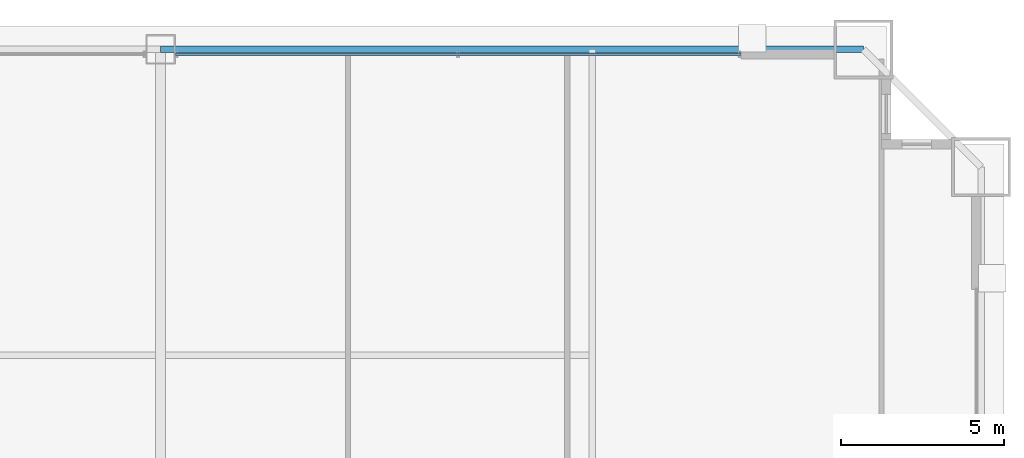
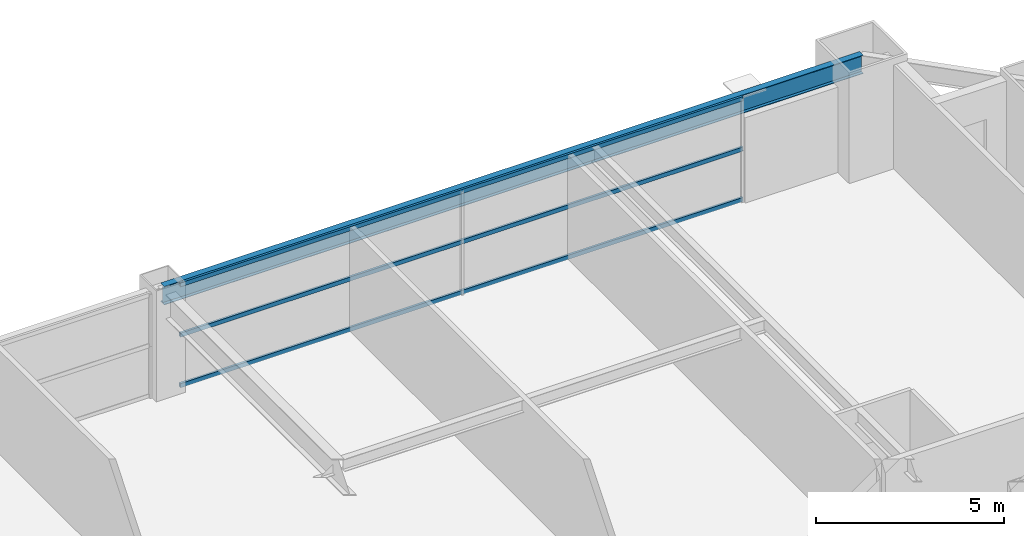
# One storey, part 38 of 46: 3 members, 1 beam, 1 element without a shape of its own.
"""IFC4 building model written with IfcOpenShell, lengths in metres."""

import ifcopenshell
import ifcopenshell.guid

model = None  # the IFC model being written
_history = None  # IfcOwnerHistory: only IFC2X3 demands one
_inside = {}  # id of a spatial element -> (the spatial element, [elements in it])
_under = {}  # id of a project, library or spatial element -> (it, [spatial elements below it])
_declared = {}  # id of a project -> (the project, [libraries it declares])
_typed = {}  # id of a type object -> (the type object, [elements of that type])
_made_of = {}  # id of a material, layer set ... -> (it, [elements and type objects made of it])


def new_model(schema):
    """Start an empty IFC model of exactly this schema.

    Asked for "IFC4X3", IfcOpenShell would pick the latest addendum, in which some entities
    have other attributes; the version numbers below select the first issue.
    IFC2X3 requires an IfcOwnerHistory on every rooted entity: one is made here for all.
    """
    global model, _history
    if schema == "IFC4X3":
        model = ifcopenshell.file(schema_version=(4, 3, 0, 0))
    else:
        model = ifcopenshell.file(schema=schema)
    _inside.clear()
    _under.clear()
    _declared.clear()
    _typed.clear()
    _made_of.clear()
    _history = None
    if model.schema == "IFC2X3":
        org = make("IfcOrganization", Name="unknown")
        user = make(
            "IfcPersonAndOrganization",
            ThePerson=make("IfcPerson", FamilyName="unknown"),
            TheOrganization=org,
        )
        app = make(
            "IfcApplication",
            ApplicationDeveloper=org,
            Version="unknown",
            ApplicationFullName="unknown",
            ApplicationIdentifier="unknown",
        )
        _history = make(
            "IfcOwnerHistory",
            OwningUser=user,
            OwningApplication=app,
            ChangeAction="ADDED",
            CreationDate=0,
        )
    return model


def make(cls, **values):
    """One entity of the class cls with the attributes given. An attribute that is None is left unset."""
    return model.create_entity(
        cls, **{name: value for name, value in values.items() if value is not None}
    )


def rooted(cls, **values):
    """An entity with a GlobalId (a new one), such as an element, a storey or a relation."""
    return make(cls, GlobalId=ifcopenshell.guid.new(), OwnerHistory=_history, **values)


def si_unit(unit_type, name, prefix=None):
    """IfcSIUnit, for example si_unit("LENGTHUNIT", "METRE", prefix="MILLI")."""
    return make("IfcSIUnit", UnitType=unit_type, Prefix=prefix, Name=name)


def assignment(units):
    """IfcUnitAssignment: the units of a project."""
    return None if units is None else make("IfcUnitAssignment", Units=units)


def point(xyz):
    """IfcCartesianPoint."""
    return None if xyz is None else make("IfcCartesianPoint", Coordinates=xyz)


def direction(xyz):
    """IfcDirection."""
    return None if xyz is None else make("IfcDirection", DirectionRatios=xyz)


def frame(location, z_axis=None, x_axis=None):
    """IfcAxis2Placement3D, a coordinate frame: its origin and axes. An axis left out is left unset."""
    return make(
        "IfcAxis2Placement3D",
        Location=point(location),
        Axis=direction(z_axis),
        RefDirection=direction(x_axis),
    )


def frame_2d(location, x_axis=None):
    """IfcAxis2Placement2D, a coordinate frame in the plane: its origin and x axis."""
    return make(
        "IfcAxis2Placement2D", Location=point(location), RefDirection=direction(x_axis)
    )


def origin():
    """The frame at (0, 0, 0) with its axes left unset."""
    return frame((0.0, 0.0, 0.0))


def origin_2d():
    """The frame at (0, 0) in the plane with its x axis left unset."""
    return frame_2d((0.0, 0.0))


def place(relative_to, where):
    """IfcLocalPlacement: puts the frame where relative to a parent placement (None: the world)."""
    return make(
        "IfcLocalPlacement", PlacementRelTo=relative_to, RelativePlacement=where
    )


def context(
    kind, dimensions, precision=None, world=None, true_north=None, identifier=None
):
    """IfcGeometricRepresentationContext, for example the 3D "Model" context."""
    return make(
        "IfcGeometricRepresentationContext",
        ContextIdentifier=identifier,
        ContextType=kind,
        CoordinateSpaceDimension=dimensions,
        Precision=precision,
        WorldCoordinateSystem=world,
        TrueNorth=true_north,
    )


def subcontext(parent, identifier, kind, view, scale=None):
    """IfcGeometricRepresentationSubContext, for example "Body" below "Model"."""
    return make(
        "IfcGeometricRepresentationSubContext",
        ContextIdentifier=identifier,
        ContextType=kind,
        ParentContext=parent,
        TargetScale=scale,
        TargetView=view,
    )


def project(units=None, contexts=None):
    """IfcProject with its units and contexts."""
    return rooted(
        "IfcProject",
        Name="project",
        RepresentationContexts=contexts,
        UnitsInContext=assignment(units),
    )


def spatial(cls, under=None, at=None, **own):
    """A site, building, storey or space (cls), placed at a placement, below another one or the project."""
    s = rooted(cls, ObjectPlacement=at, **own)
    if under is not None:
        _under.setdefault(under.id(), (under, []))[1].append(s)
    return s


def profile(cls, at=None, kind="AREA", **sizes):
    """A parametric profile (cls). Its sizes go by their IFC names, for example OverallWidth=200.0."""
    return make(cls, ProfileType=kind, Position=at, **sizes)


def hollow_rectangle(**sizes):
    """IfcRectangleHollowProfileDef."""
    return profile("IfcRectangleHollowProfileDef", **sizes)


def i_section(**sizes):
    """IfcIShapeProfileDef."""
    return profile("IfcIShapeProfileDef", **sizes)


def extrude(swept, where, along, depth):
    """IfcExtrudedAreaSolid: the profile swept, set in the frame where, extruded along a direction by depth."""
    return make(
        "IfcExtrudedAreaSolid",
        SweptArea=swept,
        Position=where,
        ExtrudedDirection=direction(along),
        Depth=depth,
    )


def shape(context_of_items, identifier, shape_type, items):
    """IfcShapeRepresentation: the items that make up one representation, for example the "Body"."""
    return make(
        "IfcShapeRepresentation",
        ContextOfItems=context_of_items,
        RepresentationIdentifier=identifier,
        RepresentationType=shape_type,
        Items=items,
    )


def source(mapping_origin, context_of_items, identifier, shape_type, items):
    """IfcRepresentationMap: a shape defined once, which mapped items show again and again."""
    return make(
        "IfcRepresentationMap",
        MappingOrigin=mapping_origin,
        MappedRepresentation=shape(context_of_items, identifier, shape_type, items),
    )


def transform(
    local_origin,
    x_axis=None,
    y_axis=None,
    z_axis=None,
    scale=None,
    scale2=None,
    scale3=None,
    uniform=True,
):
    """IfcCartesianTransformationOperator3D, or its non-uniform kind. x_axis, y_axis, z_axis: its Axis1, 2, 3."""
    if uniform:
        return make(
            "IfcCartesianTransformationOperator3D",
            Axis1=direction(x_axis),
            Axis2=direction(y_axis),
            LocalOrigin=point(local_origin),
            Scale=scale,
            Axis3=direction(z_axis),
        )
    return make(
        "IfcCartesianTransformationOperator3DnonUniform",
        Axis1=direction(x_axis),
        Axis2=direction(y_axis),
        LocalOrigin=point(local_origin),
        Scale=scale,
        Axis3=direction(z_axis),
        Scale2=scale2,
        Scale3=scale3,
    )


def mapped(mapping_source, mapping_target):
    """IfcMappedItem: shows the shape of a source again, moved by a transform."""
    return make(
        "IfcMappedItem", MappingSource=mapping_source, MappingTarget=mapping_target
    )


def material(Name=None, Category=None):
    """IfcMaterial."""
    return make("IfcMaterial", Name=Name, Category=Category)


def layer(
    of_material, thickness, ventilated=None, Name=None, Category=None, Priority=None
):
    """IfcMaterialLayer: one layer of a wall or slab, of a material (None: an air gap)."""
    return make(
        "IfcMaterialLayer",
        Material=of_material,
        LayerThickness=thickness,
        IsVentilated=ventilated,
        Name=Name,
        Category=Category,
        Priority=Priority,
    )


def layer_set(layers, Name=None):
    """IfcMaterialLayerSet."""
    return make("IfcMaterialLayerSet", MaterialLayers=layers, LayerSetName=Name)


def material_profile(
    of_material, cross_section, Name=None, Category=None, Priority=None
):
    """IfcMaterialProfile: a cross section and its material."""
    return make(
        "IfcMaterialProfile",
        Name=Name,
        Material=of_material,
        Profile=cross_section,
        Priority=Priority,
        Category=Category,
    )


def profile_set(profiles, Name=None, composite=None):
    """IfcMaterialProfileSet."""
    return make(
        "IfcMaterialProfileSet",
        Name=Name,
        MaterialProfiles=profiles,
        CompositeProfile=composite,
    )


def made_of(thing, what):
    """Note that an element or type object is made of a material, layer set ...; save() writes the relation."""
    if what is not None:
        _made_of.setdefault(what.id(), (what, []))[1].append(thing)
    return thing


def type_object(cls, material=None, **own):
    """A type object (cls), such as IfcWallType, which elements share."""
    return made_of(rooted(cls, **own), material)


def element(
    cls,
    number,
    at=None,
    inside=None,
    cuts=None,
    type_object=None,
    material=None,
    context=None,
    identifier="Body",
    shape_type=None,
    held_by="IfcProductDefinitionShape",
    body=None,
    shapes=None,
    **own,
):
    """One element of the class cls, such as IfcWall. Its Tag is "e" and its number.

    at: its placement. inside: the storey or other place that contains it. cuts: it is an
    opening in that element (IfcRelVoidsElement). A single representation is given by context,
    identifier, shape_type and body (its items); several are given by shapes. held_by: the class
    of the entity that holds the representations. save() writes the other relations.
    """
    e = rooted(cls, Tag="e%d" % number, ObjectPlacement=at, **own)
    if body is not None:
        shapes = [shape(context, identifier, shape_type, body)]
    if shapes is not None:
        e.Representation = make(held_by, Representations=shapes)
    if inside is not None:
        _inside.setdefault(inside.id(), (inside, []))[1].append(e)
    if cuts is not None:
        rooted(
            "IfcRelVoidsElement", RelatingBuildingElement=cuts, RelatedOpeningElement=e
        )
    if type_object is not None:
        _typed.setdefault(type_object.id(), (type_object, []))[1].append(e)
    return made_of(e, material)


def aggregate(whole, parts):
    """IfcRelAggregates: a whole, such as a stair, and the parts it consists of."""
    return rooted("IfcRelAggregates", RelatingObject=whole, RelatedObjects=parts)


def save(model, path):
    """Write the relations noted so far, then the file.

    IfcRelAggregates (storeys below a building ...), IfcRelContainedInSpatialStructure (elements
    in a storey), IfcRelDefinesByType, IfcRelAssociatesMaterial and IfcRelDeclares: one each for
    every whole, place, type object, material and project.
    """
    for whole, parts in _under.values():
        aggregate(whole, parts)
    for where, things in _inside.values():
        rooted(
            "IfcRelContainedInSpatialStructure",
            RelatedElements=things,
            RelatingStructure=where,
        )
    for kind, things in _typed.values():
        rooted("IfcRelDefinesByType", RelatedObjects=things, RelatingType=kind)
    for what, things in _made_of.values():
        rooted("IfcRelAssociatesMaterial", RelatedObjects=things, RelatingMaterial=what)
    for by, libraries in _declared.values():
        rooted("IfcRelDeclares", RelatingContext=by, RelatedDefinitions=libraries)
    model.write(path)


model = new_model("IFC4")

# Units and contexts
model_context = context("Model", 3, precision=1e-05, world=origin(), true_north=direction((0.0, 1.0)))
body_context = subcontext(model_context, "Body", "Model", "MODEL_VIEW")
ifc_project = project(units=[si_unit("LENGTHUNIT", "METRE"), si_unit("AREAUNIT", "SQUARE_METRE"), si_unit("VOLUMEUNIT", "CUBIC_METRE"), si_unit("PLANEANGLEUNIT", "RADIAN"), si_unit("MASSUNIT", "GRAM", prefix="KILO"), si_unit("THERMODYNAMICTEMPERATUREUNIT", "KELVIN"), si_unit("POWERUNIT", "WATT")], contexts=[model_context])

# Site, building, storey
site_placement = place(None, origin())
site = spatial("IfcSite", under=ifc_project, at=site_placement, CompositionType="ELEMENT")
building_placement = place(site_placement, origin())
building = spatial("IfcBuilding", under=site, at=building_placement, Name="Yuzanri Waterfront Tower", CompositionType="ELEMENT")
storey_placement = place(building_placement, frame((0.0, 0.0, 56.800048828125)))
storey = spatial("IfcBuildingStorey", under=building, at=storey_placement, Name="L14", CompositionType="ELEMENT", Elevation=56.800048828125)

# Beam
ifc_material_1 = material(Name="Steel Q355B", Category="steel")
ifc_material_profile_1 = material_profile(ifc_material_1, i_section(OverallWidth=0.199951171875, OverallDepth=0.60009765625, WebThickness=0.010986328125, FlangeThickness=0.01708984375, at=origin_2d()), Name="HN 600x200x11x17")
ifc_profile_set_1 = profile_set([ifc_material_profile_1], Name="Steel Q355B")
beam_type = type_object("IfcBeamType", Name="Perimeter Spandrel Q355B HN 600x200", PredefinedType="SPANDREL", material=ifc_profile_set_1)
shared_shape_1 = source(origin(), body_context, "Body", "SweptSolid", [
    extrude(i_section(OverallWidth=0.199951171875, OverallDepth=0.60009765625, WebThickness=0.010986328125, FlangeThickness=0.01708984375, at=origin_2d()), origin(), (0.0, 0.0, 1.0), 21.5),
])
beam_placement = place(storey_placement, frame((58.5, 50.89990234375, 3.079833984375), z_axis=(-1.0, 0.0, 0.0), x_axis=(0.0, -1.0, 0.0)))
element("IfcBeam", 1, at=beam_placement, inside=storey, type_object=beam_type, Name="L14 Perimeter Spandrel N3-N2", PredefinedType="SPANDREL", context=body_context, shape_type="MappedRepresentation", body=[
    mapped(shared_shape_1, transform((0.0, 0.0, 0.0), scale=1.0)),
])

# Curtain wall, members
ifc_material_2 = material(Name="Anodized Architectural Bronze", Category="metal")
ifc_layer = layer(ifc_material_2, 0.159912109375)
ifc_layer_set = layer_set([ifc_layer], Name="Anodized Architectural Bronze")
curtain_wall_type = type_object("IfcCurtainWallType", Name="Anodized Bronze Hotel Lower-Tier Recessed Unitized Curtain Wall 8100", PredefinedType="NOTDEFINED", material=ifc_layer_set)
curtain_wall_placement = place(storey_placement, origin())
curtain_wall = element("IfcCurtainWall", 2, at=curtain_wall_placement, inside=storey, type_object=curtain_wall_type, Name="L14 Curtain Wall CW-L14-NR", PredefinedType="NOTDEFINED")
ifc_material_3 = material(Name="Anodized Architectural Bronze", Category="metal")
ifc_material_profile_2 = material_profile(ifc_material_3, hollow_rectangle(XDim=0.070068359375, YDim=0.135009765625, WallThickness=0.00341796875, at=origin_2d()), Name="CWT 70x135")
ifc_profile_set_2 = profile_set([ifc_material_profile_2], Name="Anodized Architectural Bronze")
member_type = type_object("IfcMemberType", Name="Anodized Bronze Standard Curtain-Wall Transom 70x135", PredefinedType="USERDEFINED", material=ifc_profile_set_2)
shared_shape_2 = source(origin(), body_context, "Body", "SweptSolid", [
    extrude(hollow_rectangle(XDim=0.070068359375, YDim=0.135009765625, WallThickness=0.00341796875, at=origin_2d()), origin(), (0.0, 0.0, 1.0), 17.300048828125),
])
member_1_placement = place(storey_placement, frame((37.449951171875, 50.75, 0.050048828125), z_axis=(1.0, 0.0, 0.0), x_axis=(0.0, 1.0, 0.0)))
member_1 = element("IfcMember", 3, at=member_1_placement, type_object=member_type, Name="CW-L14-NR Transom 1", ObjectType="TRANSOM", PredefinedType="USERDEFINED", context=body_context, shape_type="MappedRepresentation", body=[
    mapped(shared_shape_2, transform((0.0, 0.0, 0.0), scale=1.0)),
])
member_2_placement = place(storey_placement, frame((37.449951171875, 50.75, 1.68994140625), z_axis=(1.0, 0.0, 0.0), x_axis=(0.0, 1.0, 0.0)))
member_2 = element("IfcMember", 4, at=member_2_placement, type_object=member_type, Name="CW-L14-NR Transom 2", ObjectType="TRANSOM", PredefinedType="USERDEFINED", context=body_context, shape_type="MappedRepresentation", body=[
    mapped(shared_shape_2, transform((0.0, 0.0, 0.0), scale=1.0)),
])
member_3_placement = place(storey_placement, frame((37.449951171875, 50.75, 3.329833984375), z_axis=(1.0, 0.0, 0.0), x_axis=(0.0, 1.0, 0.0)))
member_3 = element("IfcMember", 5, at=member_3_placement, type_object=member_type, Name="CW-L14-NR Transom 3", ObjectType="TRANSOM", PredefinedType="USERDEFINED", context=body_context, shape_type="MappedRepresentation", body=[
    mapped(shared_shape_2, transform((0.0, 0.0, 0.0), scale=1.0)),
])
aggregate(curtain_wall, [member_1, member_2, member_3])

save(model, "model.ifc")
